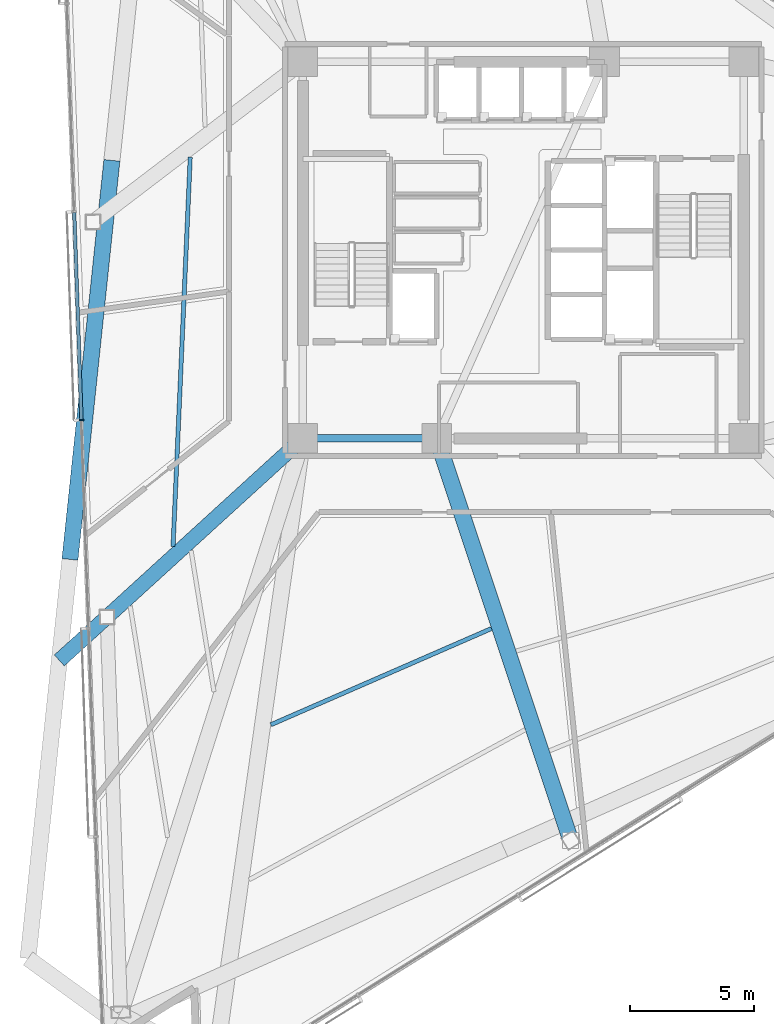
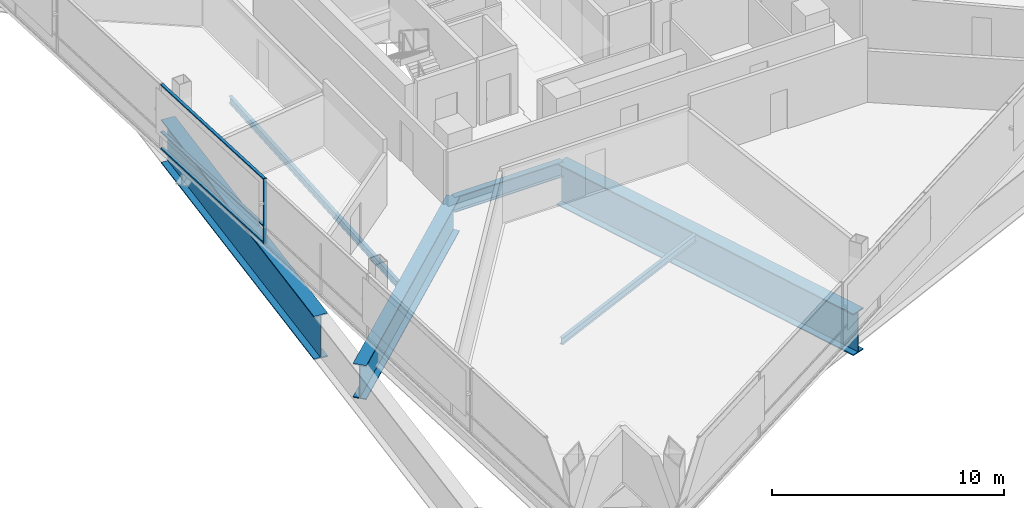
# One storey, part 4 of 20: 6 beams, 4 members, 1 element without a shape of its own.
"""IFC4 building model written with IfcOpenShell, lengths in metres."""

from ifc_helpers import new_model, si_unit, direction, frame, origin, origin_2d, place, context, subcontext, project, spatial, rectangle, i_section, extrude, material, layer, layer_set, material_profile, profile_set, type_object, element, aggregate, save


model = new_model("IFC4")

# Units and contexts
model_context = context("Model", 3, precision=1e-05, world=origin(), true_north=direction((0.0, 1.0)))
body_context = subcontext(model_context, "Body", "Model", "MODEL_VIEW")
ifc_project = project(units=[si_unit("LENGTHUNIT", "METRE"), si_unit("AREAUNIT", "SQUARE_METRE"), si_unit("VOLUMEUNIT", "CUBIC_METRE"), si_unit("PLANEANGLEUNIT", "RADIAN"), si_unit("MASSUNIT", "GRAM", prefix="KILO")], contexts=[model_context])

# Site, building, storey
site_placement = place(None, origin())
site = spatial("IfcSite", under=ifc_project, at=site_placement, CompositionType="ELEMENT")
building_placement = place(site_placement, origin())
building = spatial("IfcBuilding", under=site, at=building_placement, Name="Tharavind Bronze Gate", CompositionType="ELEMENT")
storey_placement = place(building_placement, frame((0.0, 0.0, 138.800048828125)))
storey = spatial("IfcBuildingStorey", under=building, at=storey_placement, Name="L35", CompositionType="ELEMENT", Elevation=138.800048828125)

# Curtain wall, members
ifc_material_1 = material(Name="Anodised Bronze Aluminium", Category="aluminium")
ifc_layer = layer(ifc_material_1, 0.219970703125)
ifc_layer_set = layer_set([ifc_layer], Name="Anodised Bronze Aluminium")
curtain_wall_type = type_object("IfcCurtainWallType", Name="UNITISED CURTAIN WALL MID OFFICE", PredefinedType="USERDEFINED", material=ifc_layer_set)
curtain_wall_placement = place(storey_placement, origin())
curtain_wall = element("IfcCurtainWall", 1, at=curtain_wall_placement, inside=storey, type_object=curtain_wall_type, Name="L35 unitised curtain wall mid office CW-L35-S1", ObjectType="UNITISED CURTAIN WALL", PredefinedType="USERDEFINED")
member_type_1 = type_object("IfcMemberType", Name="CURTAIN WALL BRONZE MULLION 65X180", PredefinedType="MULLION", material=ifc_material_1)
member_1_placement = place(storey_placement, frame((-17.8388671875, -6.86376953125, 0.0), z_axis=(0.0, 0.0, 1.0), x_axis=(0.034899496703, -0.999390827019, 0.0)))
member_1 = element("IfcMember", 2, at=member_1_placement, type_object=member_type_1, Name="CW-L35-S1 mullion 4", PredefinedType="MULLION", context=body_context, shape_type="SweptSolid", body=[
    extrude(rectangle(XDim=0.06494140625, YDim=0.179931640625, at=origin_2d()), origin(), (0.0, 0.0, 1.0), 3.409912109375),
])
member_type_2 = type_object("IfcMemberType", Name="CURTAIN WALL BRONZE TRANSOM 65X140", PredefinedType="USERDEFINED", material=ifc_material_1)
member_2_placement = place(storey_placement, frame((-17.985595703125, -2.6591796875, 0.0), z_axis=(0.0, 0.0, 1.0), x_axis=(0.034899496703, -0.999390827019, 0.0)))
member_2 = element("IfcMember", 3, at=member_2_placement, type_object=member_type_2, Name="CW-L35-S1 transom TB3", ObjectType="TRANSOM", PredefinedType="USERDEFINED", context=body_context, shape_type="SweptSolid", body=[
    extrude(rectangle(XDim=8.361572265625, YDim=0.139892578125, at=origin_2d()), origin(), (0.0, 0.0, 1.0), 0.06494140625),
])
member_3_placement = place(storey_placement, frame((-17.985595703125, -2.6591796875, 0.867431640625), z_axis=(0.0, 0.0, 1.0), x_axis=(0.034899496703, -0.999390827019, 0.0)))
member_3 = element("IfcMember", 4, at=member_3_placement, type_object=member_type_2, Name="CW-L35-S1 transom TS3", ObjectType="TRANSOM", PredefinedType="USERDEFINED", context=body_context, shape_type="SweptSolid", body=[
    extrude(rectangle(XDim=8.361572265625, YDim=0.139892578125, at=origin_2d()), origin(), (0.0, 0.0, 1.0), 0.06494140625),
])
member_4_placement = place(storey_placement, frame((-17.985595703125, -2.6591796875, 3.344970703125), z_axis=(0.0, 0.0, 1.0), x_axis=(0.034899496703, -0.999390827019, 0.0)))
member_4 = element("IfcMember", 5, at=member_4_placement, type_object=member_type_2, Name="CW-L35-S1 transom TT3", ObjectType="TRANSOM", PredefinedType="USERDEFINED", context=body_context, shape_type="SweptSolid", body=[
    extrude(rectangle(XDim=8.361572265625, YDim=0.139892578125, at=origin_2d()), origin(), (0.0, 0.0, 1.0), 0.06494140625),
])
aggregate(curtain_wall, [member_1, member_2, member_3, member_4])

# Beams
ifc_material_2 = material(Name="Steel S355", Category="steel")
ifc_material_profile_1 = material_profile(ifc_material_2, i_section(OverallWidth=0.300048828125, OverallDepth=0.800048828125, WebThickness=0.017578125, FlangeThickness=0.032958984375, at=origin_2d()), Name="HE800B")
ifc_profile_set_1 = profile_set([ifc_material_profile_1], Name="Steel S355")
beam_type_1 = type_object("IfcBeamType", Name="RING GIRDER HE800B", PredefinedType="USERDEFINED", material=ifc_profile_set_1)
beam_1_placement = place(storey_placement, frame((-8.89990234375, -7.60009765625, -0.590087890625), z_axis=(1.0, 0.0, 0.0), x_axis=(0.0, 1.0, 0.0)))
element("IfcBeam", 6, at=beam_1_placement, inside=storey, type_object=beam_type_1, Name="L35 ring girder he800b BM-L35-CR1", ObjectType="GIRDER", PredefinedType="USERDEFINED", context=body_context, shape_type="SweptSolid", body=[
    extrude(i_section(OverallWidth=0.300048828125, OverallDepth=0.800048828125, WebThickness=0.017578125, FlangeThickness=0.032958984375, at=origin_2d()), origin(), (0.0, 0.0, 1.0), 5.39990234375),
])
ifc_material_profile_2 = material_profile(ifc_material_2, i_section(OverallWidth=0.169921875, OverallDepth=0.360107421875, WebThickness=0.008056640625, FlangeThickness=0.0126953125, at=origin_2d()), Name="IPE360")
ifc_profile_set_2 = profile_set([ifc_material_profile_2], Name="Steel S355")
beam_type_2 = type_object("IfcBeamType", Name="SECONDARY FLOOR JOIST IPE360", PredefinedType="JOIST", material=ifc_profile_set_2)
beam_2_placement = place(storey_placement, frame((-13.44775390625, 3.748779296875, -0.3701171875), z_axis=(-0.044097776795, -0.99902721989, 0.0), x_axis=(0.99902721989, -0.044097776795, 0.0)))
element("IfcBeam", 7, at=beam_2_placement, inside=storey, type_object=beam_type_2, Name="L35 secondary floor joist ipe360 BM-L35-JSTA02", PredefinedType="JOIST", context=body_context, shape_type="SweptSolid", body=[
    extrude(i_section(OverallWidth=0.169921875, OverallDepth=0.360107421875, WebThickness=0.008056640625, FlangeThickness=0.0126953125, at=origin_2d()), origin(), (0.0, 0.0, 1.0), 15.734375),
])
beam_3_placement = place(storey_placement, frame((-10.1923828125, -19.162109375, -0.3701171875), z_axis=(0.916631290748, 0.399733757422, 0.0), x_axis=(-0.399733757422, 0.916631290748, 0.0)))
element("IfcBeam", 8, at=beam_3_placement, inside=storey, type_object=beam_type_2, Name="L35 secondary floor joist ipe360 BM-L35-JSTA05", PredefinedType="JOIST", context=body_context, shape_type="SweptSolid", body=[
    extrude(i_section(OverallWidth=0.169921875, OverallDepth=0.360107421875, WebThickness=0.008056640625, FlangeThickness=0.0126953125, at=origin_2d()), origin(), (0.0, 0.0, 1.0), 9.716552734375),
])
ifc_material_3 = material(Name="Steel S460", Category="steel")
ifc_material_profile_3 = material_profile(ifc_material_3, i_section(OverallWidth=0.60009765625, OverallDepth=1.800048828125, WebThickness=0.031982421875, FlangeThickness=0.054931640625, at=origin_2d()), Name="PG1800X600")
ifc_profile_set_3 = profile_set([ifc_material_profile_3], Name="Steel S460")
beam_type_3 = type_object("IfcBeamType", Name="TRANSFER GIRDER 1800X600", PredefinedType="USERDEFINED", material=ifc_profile_set_3)
beam_4_placement = place(storey_placement, frame((-8.89990234375, -7.60009765625, -1.090087890625), z_axis=(-0.738894857184, -0.673820740277, 0.0), x_axis=(0.673820740277, -0.738894857184, 0.0)))
element("IfcBeam", 9, at=beam_4_placement, inside=storey, type_object=beam_type_3, Name="L35 transfer girder 1800x600 BM-L35-XFR03", ObjectType="TRANSFER GIRDER", PredefinedType="USERDEFINED", context=body_context, shape_type="SweptSolid", body=[
    extrude(i_section(OverallWidth=0.60009765625, OverallDepth=1.800048828125, WebThickness=0.031982421875, FlangeThickness=0.054931640625, at=origin_2d()), origin(), (0.0, 0.0, 1.0), 13.307373046875),
])
ifc_material_profile_4 = material_profile(ifc_material_3, i_section(OverallWidth=0.64990234375, OverallDepth=2.199951171875, WebThickness=0.035888671875, FlangeThickness=0.054931640625, at=origin_2d()), Name="PG2200X650")
ifc_profile_set_4 = profile_set([ifc_material_profile_4], Name="Steel S460")
beam_type_4 = type_object("IfcBeamType", Name="TRANSFER GIRDER 2200X650", PredefinedType="USERDEFINED", material=ifc_profile_set_4)
beam_5_placement = place(storey_placement, frame((-3.5, -7.60009765625, -1.2900390625), z_axis=(0.316390459334, -0.948629051444, 0.0), x_axis=(0.948629051444, 0.316390459334, 0.0)))
element("IfcBeam", 10, at=beam_5_placement, inside=storey, type_object=beam_type_4, Name="L35 transfer girder 2200x650 BM-L35-XFR06", ObjectType="TRANSFER GIRDER", PredefinedType="USERDEFINED", context=body_context, shape_type="SweptSolid", body=[
    extrude(i_section(OverallWidth=0.64990234375, OverallDepth=2.199951171875, WebThickness=0.035888671875, FlangeThickness=0.054931640625, at=origin_2d()), origin(), (0.0, 0.0, 1.0), 17.1064453125),
])
ifc_material_profile_5 = material_profile(ifc_material_3, i_section(OverallWidth=0.64990234375, OverallDepth=2.300048828125, WebThickness=0.035888671875, FlangeThickness=0.05810546875, at=origin_2d()), Name="PG2300X650")
ifc_profile_set_5 = profile_set([ifc_material_profile_5], Name="Steel S460")
beam_type_5 = type_object("IfcBeamType", Name="TRANSFER GIRDER 2300X650", PredefinedType="USERDEFINED", material=ifc_profile_set_5)
beam_6_placement = place(storey_placement, frame((-16.610595703125, 3.62158203125, -1.340087890625), z_axis=(-0.104538854147, -0.994520803188, 0.0), x_axis=(0.994520803188, -0.104538854147, 0.0)))
element("IfcBeam", 11, at=beam_6_placement, inside=storey, type_object=beam_type_5, Name="L35 transfer girder 2300x650 BM-L35-LRG02", ObjectType="TRANSFER GIRDER", PredefinedType="USERDEFINED", context=body_context, shape_type="SweptSolid", body=[
    extrude(i_section(OverallWidth=0.64990234375, OverallDepth=2.300048828125, WebThickness=0.035888671875, FlangeThickness=0.05810546875, at=origin_2d()), origin(), (0.0, 0.0, 1.0), 16.198486328125),
])

save(model, "model.ifc")
